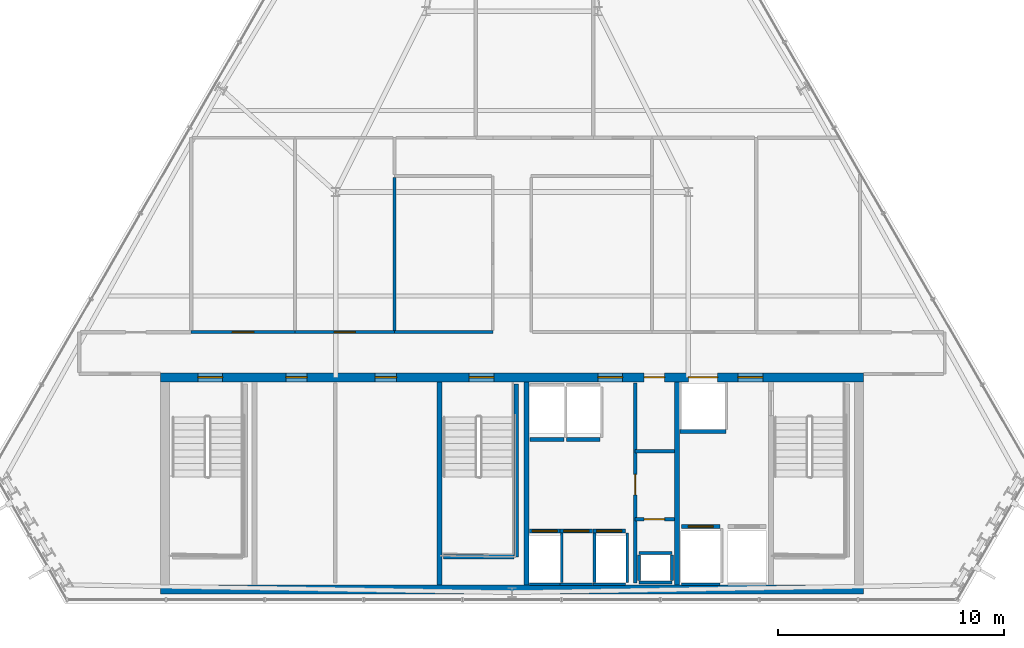
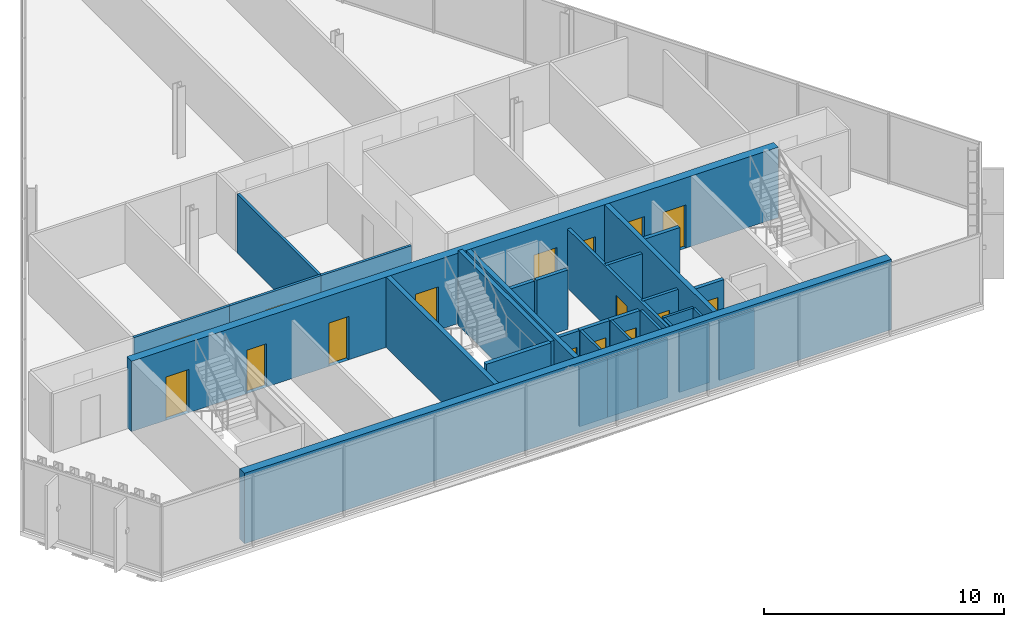
# One storey, part 24 of 29: 32 walls, 16 doors, 16 openings.
"""IFC4 building model written with IfcOpenShell, lengths in metres."""

from ifc_helpers import new_model, si_unit, direction, frame, frame_2d, origin, place, context, subcontext, project, spatial, rectangle, extrude, material, layer, layer_set, type_object, element, fill, save


model = new_model("IFC4")

# Units and contexts
model_context = context("Model", 3, precision=1e-05, world=origin(), true_north=direction((0.0, 1.0)))
body_context = subcontext(model_context, "Body", "Model", "MODEL_VIEW")
ifc_project = project(units=[si_unit("LENGTHUNIT", "METRE"), si_unit("AREAUNIT", "SQUARE_METRE"), si_unit("VOLUMEUNIT", "CUBIC_METRE"), si_unit("PLANEANGLEUNIT", "RADIAN"), si_unit("MASSUNIT", "GRAM", prefix="KILO")], contexts=[model_context])

# Site, building, storey
site_placement = place(None, origin())
site = spatial("IfcSite", under=ifc_project, at=site_placement, CompositionType="ELEMENT")
building_placement = place(site_placement, origin())
building = spatial("IfcBuilding", under=site, at=building_placement, Name="Ndaravel Arena Tower", CompositionType="ELEMENT")
storey_placement = place(building_placement, frame((0.0, 0.0, 244.60009765625)))
storey = spatial("IfcBuildingStorey", under=building, at=storey_placement, Name="L59", CompositionType="ELEMENT", Elevation=244.60009765625)

# Wall, opening, door
ifc_material_1 = material(Name="Gypsum", Category="gypsum")
ifc_layer_1 = layer(ifc_material_1, 0.14990234375)
ifc_layer_set_1 = layer_set([ifc_layer_1], Name="Gypsum")
wall_type_1 = type_object("IfcWallType", Name="WALL-COMP-150", PredefinedType="PARTITIONING", material=ifc_layer_set_1)
wall_1_placement = place(storey_placement, frame((47.449951171875, 5.89990234375, 0.0), z_axis=(0.0, 0.0, 1.0), x_axis=(0.0, 1.0, 0.0)))
wall_1 = element("IfcWall", 1, at=wall_1_placement, inside=storey, type_object=wall_type_1, Name="L59 Core Riser Bay Partition", PredefinedType="PARTITIONING", context=body_context, shape_type="SweptSolid", body=[
    extrude(rectangle(XDim=8.85009765625, YDim=0.14990234375, at=frame_2d((4.425048828125, 0.0))), origin(), (0.0, 0.0, 1.0), 3.010498046875),
])
opening_1_placement = place(wall_1_placement, frame((3.89990234375, 0.0, 0.0)))
opening_1 = element("IfcOpeningElement", 2, at=opening_1_placement, cuts=wall_1, Name="Opening RD-01", PredefinedType="OPENING", context=body_context, shape_type="SweptSolid", body=[
    extrude(rectangle(XDim=0.89990234375, YDim=2.10009765625, at=frame_2d((0.449951171875, 1.050048828125))), frame((0.0, 0.074951171875, 0.0), z_axis=(0.0, -1.0, 0.0), x_axis=(1.0, 0.0, 0.0)), (0.0, 0.0, 1.0), 0.14990234375),
])
ifc_material_2 = material(Name="Steel S355", Category="steel")
door_type_1 = type_object("IfcDoorType", Name="DT-08-RISER-900", OperationType="SINGLE_SWING_LEFT", PredefinedType="DOOR", material=ifc_material_2)
door_1_placement = place(opening_1_placement, origin())
door_1 = element("IfcDoor", 3, at=door_1_placement, inside=storey, type_object=door_type_1, Name="L59 Plumbing Riser Door", OperationType="SINGLE_SWING_LEFT", OverallHeight=2.10009765625, OverallWidth=0.89990234375, PredefinedType="DOOR", context=body_context, shape_type="SweptSolid", body=[
    extrude(rectangle(XDim=0.89990234375, YDim=2.10009765625, at=frame_2d((0.449951171875, 1.050048828125))), frame((0.0, 0.02490234375, 0.0), z_axis=(0.0, -1.0, 0.0), x_axis=(1.0, 0.0, 0.0)), (0.0, 0.0, 1.0), 0.050048828125),
])
fill(opening_1, door_1)

wall_2_placement = place(storey_placement, frame((47.449951171875, 8.719970703125, 0.0), z_axis=(0.0, 0.0, 1.0), x_axis=(1.0, 0.0, 0.0)))
wall_2 = element("IfcWall", 4, at=wall_2_placement, inside=storey, type_object=wall_type_1, Name="L59 Core Riser Divider 1", PredefinedType="PARTITIONING", context=body_context, shape_type="SweptSolid", body=[
    extrude(rectangle(XDim=1.72998046875, YDim=0.14990234375, at=frame_2d((0.864990234375, 0.0))), origin(), (0.0, 0.0, 1.0), 3.010498046875),
])
opening_2_placement = place(wall_2_placement, frame((0.39990234375, 0.0, 0.0)))
opening_2 = element("IfcOpeningElement", 5, at=opening_2_placement, cuts=wall_2, Name="Opening RD-01", PredefinedType="OPENING", context=body_context, shape_type="SweptSolid", body=[
    extrude(rectangle(XDim=0.89990234375, YDim=2.10009765625, at=frame_2d((0.449951171875, 1.050048828125))), frame((0.0, 0.074951171875, 0.0), z_axis=(0.0, -1.0, 0.0), x_axis=(1.0, 0.0, 0.0)), (0.0, 0.0, 1.0), 0.14990234375),
])
door_2_placement = place(opening_2_placement, origin())
door_2 = element("IfcDoor", 6, at=door_2_placement, inside=storey, type_object=door_type_1, Name="L59 Low-Voltage Riser Door", OperationType="SINGLE_SWING_RIGHT", OverallHeight=2.10009765625, OverallWidth=0.89990234375, PredefinedType="DOOR", context=body_context, shape_type="SweptSolid", body=[
    extrude(rectangle(XDim=0.89990234375, YDim=2.10009765625, at=frame_2d((0.449951171875, 1.050048828125))), frame((0.0, 0.02490234375, 0.0), z_axis=(0.0, -1.0, 0.0), x_axis=(1.0, 0.0, 0.0)), (0.0, 0.0, 1.0), 0.050048828125),
])
fill(opening_2, door_2)

# Walls
wall_3_placement = place(storey_placement, frame((47.449951171875, 11.719970703125, 0.0), z_axis=(0.0, 0.0, 1.0), x_axis=(1.0, 0.0, 0.0)))
element("IfcWall", 7, at=wall_3_placement, inside=storey, type_object=wall_type_1, Name="L59 Core Riser Divider 2", PredefinedType="PARTITIONING", context=body_context, shape_type="SweptSolid", body=[
    extrude(rectangle(XDim=1.72998046875, YDim=0.14990234375, at=frame_2d((0.864990234375, 0.0))), origin(), (0.0, 0.0, 1.0), 3.010498046875),
])
ifc_material_3 = material(Name="Concrete C50/60", Category="concrete")
ifc_layer_2 = layer(ifc_material_3, 0.219970703125)
ifc_layer_set_2 = layer_set([ifc_layer_2], Name="Concrete C50/60")
wall_type_2 = type_object("IfcWallType", Name="WALL-CORE-220", PredefinedType="SOLIDWALL", material=ifc_layer_set_2)
for number, where, z_axis, x_axis, name in (
    (8, (38.800048828125, 5.800048828125, 0.0), (0.0, 0.0, 1.0), (0.0, 1.0, 0.0), "L59 Core Web Shear Wall 2"),
    (9, (42.64990234375, 5.800048828125, 0.0), (0.0, 0.0, 1.0), (0.0, 1.0, 0.0), "L59 Core Web Shear Wall 3"),
    (10, (49.300048828125, 5.800048828125, 0.0), (0.0, 0.0, 1.0), (0.0, 1.0, 0.0), "L59 Core Web Shear Wall 4"),
):
    element("IfcWall", number, at=place(storey_placement, frame(where, z_axis=z_axis, x_axis=x_axis)), inside=storey, type_object=wall_type_2, Name=name, PredefinedType="SOLIDWALL", context=body_context, shape_type="SweptSolid", body=[
        extrude(rectangle(XDim=9.0, YDim=0.219970703125, at=frame_2d((4.5, 0.0))), origin(), (0.0, 0.0, 1.0), 3.579833984375),
    ])

# Wall, openings, doors
ifc_material_4 = material(Name="Concrete C50/60", Category="concrete")
ifc_layer_3 = layer(ifc_material_4, 0.39990234375)
ifc_layer_set_3 = layer_set([ifc_layer_3], Name="Concrete C50/60")
wall_type_3 = type_object("IfcWallType", Name="WALL-CORE-400", PredefinedType="SOLIDWALL", material=ifc_layer_set_3)
wall_4_placement = place(storey_placement, frame((26.449951171875, 15.0, 0.0), z_axis=(0.0, 0.0, 1.0), x_axis=(1.0, 0.0, 0.0)))
wall_4 = element("IfcWall", 11, at=wall_4_placement, inside=storey, type_object=wall_type_3, Name="L59 Core North Shear Wall", PredefinedType="SOLIDWALL", context=body_context, shape_type="SweptSolid", body=[
    extrude(rectangle(XDim=31.10009765625, YDim=0.39990234375, at=frame_2d((15.550048828125, 0.0))), origin(), (0.0, 0.0, 1.0), 3.579833984375),
])
opening_3_placement = place(wall_4_placement, frame((1.64990234375, 0.0, 0.0)))
opening_3 = element("IfcOpeningElement", 12, at=opening_3_placement, cuts=wall_4, Name="Opening FD-01", PredefinedType="OPENING", context=body_context, shape_type="SweptSolid", body=[
    extrude(rectangle(XDim=1.10009765625, YDim=2.199951171875, at=frame_2d((0.550048828125, 1.10009765625))), frame((0.0, 0.199951171875, 0.0), z_axis=(0.0, -1.0, 0.0), x_axis=(1.0, 0.0, 0.0)), (0.0, 0.0, 1.0), 0.39990234375),
])
opening_4_placement = place(wall_4_placement, frame((13.64990234375, 0.0, 0.0)))
opening_4 = element("IfcOpeningElement", 13, at=opening_4_placement, cuts=wall_4, Name="Opening FD-01", PredefinedType="OPENING", context=body_context, shape_type="SweptSolid", body=[
    extrude(rectangle(XDim=1.10009765625, YDim=2.199951171875, at=frame_2d((0.550048828125, 1.10009765625))), frame((0.0, 0.199951171875, 0.0), z_axis=(0.0, -1.0, 0.0), x_axis=(1.0, 0.0, 0.0)), (0.0, 0.0, 1.0), 0.39990234375),
])
opening_5_placement = place(wall_4_placement, frame((25.550048828125, 0.0, 0.0)))
opening_5 = element("IfcOpeningElement", 14, at=opening_5_placement, cuts=wall_4, Name="Opening FD-01", PredefinedType="OPENING", context=body_context, shape_type="SweptSolid", body=[
    extrude(rectangle(XDim=1.10009765625, YDim=2.199951171875, at=frame_2d((0.550048828125, 1.10009765625))), frame((0.0, 0.199951171875, 0.0), z_axis=(0.0, -1.0, 0.0), x_axis=(1.0, 0.0, 0.0)), (0.0, 0.0, 1.0), 0.39990234375),
])
opening_6_placement = place(wall_4_placement, frame((19.35009765625, 0.0, 0.0)))
opening_6 = element("IfcOpeningElement", 15, at=opening_6_placement, cuts=wall_4, Name="Opening FD-01", PredefinedType="OPENING", context=body_context, shape_type="SweptSolid", body=[
    extrude(rectangle(XDim=1.10009765625, YDim=2.199951171875, at=frame_2d((0.550048828125, 1.10009765625))), frame((0.0, 0.199951171875, 0.0), z_axis=(0.0, -1.0, 0.0), x_axis=(1.0, 0.0, 0.0)), (0.0, 0.0, 1.0), 0.39990234375),
])
opening_7_placement = place(wall_4_placement, frame((21.39990234375, 0.0, 0.0)))
opening_7 = element("IfcOpeningElement", 16, at=opening_7_placement, cuts=wall_4, Name="Opening RD-01", PredefinedType="OPENING", context=body_context, shape_type="SweptSolid", body=[
    extrude(rectangle(XDim=0.89990234375, YDim=2.10009765625, at=frame_2d((0.449951171875, 1.050048828125))), frame((0.0, 0.199951171875, 0.0), z_axis=(0.0, -1.0, 0.0), x_axis=(1.0, 0.0, 0.0)), (0.0, 0.0, 1.0), 0.39990234375),
])
opening_8_placement = place(wall_4_placement, frame((5.5400390625, 0.0, 0.0)))
opening_8 = element("IfcOpeningElement", 17, at=opening_8_placement, cuts=wall_4, Name="Opening FD-03", PredefinedType="OPENING", context=body_context, shape_type="SweptSolid", body=[
    extrude(rectangle(XDim=0.949951171875, YDim=2.199951171875, at=frame_2d((0.47509765625, 1.10009765625))), frame((0.0, 0.199951171875, 0.0), z_axis=(0.0, -1.0, 0.0), x_axis=(1.0, 0.0, 0.0)), (0.0, 0.0, 1.0), 0.39990234375),
])
opening_9_placement = place(wall_4_placement, frame((9.489990234375, 0.0, 0.0)))
opening_9 = element("IfcOpeningElement", 18, at=opening_9_placement, cuts=wall_4, Name="Opening FD-03", PredefinedType="OPENING", context=body_context, shape_type="SweptSolid", body=[
    extrude(rectangle(XDim=0.949951171875, YDim=2.199951171875, at=frame_2d((0.47509765625, 1.10009765625))), frame((0.0, 0.199951171875, 0.0), z_axis=(0.0, -1.0, 0.0), x_axis=(1.0, 0.0, 0.0)), (0.0, 0.0, 1.0), 0.39990234375),
])
opening_10_placement = place(wall_4_placement, frame((23.35009765625, 0.0, 0.0)))
opening_10 = element("IfcOpeningElement", 19, at=opening_10_placement, cuts=wall_4, Name="Opening LD-02", PredefinedType="OPENING", context=body_context, shape_type="SweptSolid", body=[
    extrude(rectangle(XDim=1.300048828125, YDim=2.300048828125, at=frame_2d((0.64990234375, 1.14990234375))), frame((0.0, 0.199951171875, 0.0), z_axis=(0.0, -1.0, 0.0), x_axis=(1.0, 0.0, 0.0)), (0.0, 0.0, 1.0), 0.39990234375),
])
ifc_material_5 = material(Name="Steel S355", Category="steel")
door_type_2 = type_object("IfcDoorType", Name="DT-01-STAIR-1100", OperationType="SINGLE_SWING_LEFT", PredefinedType="DOOR", material=ifc_material_5)
door_3_placement = place(opening_3_placement, origin())
door_3 = element("IfcDoor", 20, at=door_3_placement, inside=storey, type_object=door_type_2, Name="L59 Exit Stair ST-1 Door", OperationType="SINGLE_SWING_RIGHT", OverallHeight=2.199951171875, OverallWidth=1.10009765625, PredefinedType="DOOR", context=body_context, shape_type="SweptSolid", body=[
    extrude(rectangle(XDim=1.10009765625, YDim=2.199951171875, at=frame_2d((0.550048828125, 1.10009765625))), frame((0.0, 0.02490234375, 0.0), z_axis=(0.0, -1.0, 0.0), x_axis=(1.0, 0.0, 0.0)), (0.0, 0.0, 1.0), 0.050048828125),
])
fill(opening_3, door_3)
door_4_placement = place(opening_4_placement, origin())
door_4 = element("IfcDoor", 21, at=door_4_placement, inside=storey, type_object=door_type_2, Name="L59 Exit Stair ST-2 Door", OperationType="SINGLE_SWING_LEFT", OverallHeight=2.199951171875, OverallWidth=1.10009765625, PredefinedType="DOOR", context=body_context, shape_type="SweptSolid", body=[
    extrude(rectangle(XDim=1.10009765625, YDim=2.199951171875, at=frame_2d((0.550048828125, 1.10009765625))), frame((0.0, 0.02490234375, 0.0), z_axis=(0.0, -1.0, 0.0), x_axis=(1.0, 0.0, 0.0)), (0.0, 0.0, 1.0), 0.050048828125),
])
fill(opening_4, door_4)
door_5_placement = place(opening_5_placement, origin())
door_5 = element("IfcDoor", 22, at=door_5_placement, inside=storey, type_object=door_type_2, Name="L59 Firefighting Lift Lobby Door", OperationType="SINGLE_SWING_RIGHT", OverallHeight=2.199951171875, OverallWidth=1.10009765625, PredefinedType="DOOR", context=body_context, shape_type="SweptSolid", body=[
    extrude(rectangle(XDim=1.10009765625, YDim=2.199951171875, at=frame_2d((0.550048828125, 1.10009765625))), frame((0.0, 0.02490234375, 0.0), z_axis=(0.0, -1.0, 0.0), x_axis=(1.0, 0.0, 0.0)), (0.0, 0.0, 1.0), 0.050048828125),
])
fill(opening_5, door_5)
door_6_placement = place(opening_6_placement, origin())
door_6 = element("IfcDoor", 23, at=door_6_placement, inside=storey, type_object=door_type_2, Name="L59 Express Lift Lobby Entry Door", OperationType="SINGLE_SWING_LEFT", OverallHeight=2.199951171875, OverallWidth=1.10009765625, PredefinedType="DOOR", context=body_context, shape_type="SweptSolid", body=[
    extrude(rectangle(XDim=1.10009765625, YDim=2.199951171875, at=frame_2d((0.550048828125, 1.10009765625))), frame((0.0, 0.02490234375, 0.0), z_axis=(0.0, -1.0, 0.0), x_axis=(1.0, 0.0, 0.0)), (0.0, 0.0, 1.0), 0.050048828125),
])
fill(opening_6, door_6)
ifc_material_6 = material(Name="Steel S355", Category="steel")
door_type_3 = type_object("IfcDoorType", Name="DT-07-SVLIFT-1300", OperationType="DOUBLE_DOOR_SLIDING", PredefinedType="DOOR", material=ifc_material_6)
door_7_placement = place(opening_10_placement, origin())
door_7 = element("IfcDoor", 24, at=door_7_placement, inside=storey, type_object=door_type_3, Name="L59 Lift SVL-1 Sliding Landing Door", OperationType="DOUBLE_DOOR_SLIDING", OverallHeight=2.300048828125, OverallWidth=1.300048828125, PredefinedType="DOOR", context=body_context, shape_type="SweptSolid", body=[
    extrude(rectangle(XDim=1.300048828125, YDim=2.300048828125, at=frame_2d((0.64990234375, 1.14990234375))), frame((0.0, 0.02490234375, 0.0), z_axis=(0.0, -1.0, 0.0), x_axis=(1.0, 0.0, 0.0)), (0.0, 0.0, 1.0), 0.050048828125),
])
fill(opening_10, door_7)
door_8_placement = place(opening_7_placement, origin())
door_8 = element("IfcDoor", 25, at=door_8_placement, inside=storey, type_object=door_type_1, Name="L59 Core Service Riser North Door", OperationType="SINGLE_SWING_LEFT", OverallHeight=2.10009765625, OverallWidth=0.89990234375, PredefinedType="DOOR", context=body_context, shape_type="SweptSolid", body=[
    extrude(rectangle(XDim=0.89990234375, YDim=2.10009765625, at=frame_2d((0.449951171875, 1.050048828125))), frame((0.0, 0.02490234375, 0.0), z_axis=(0.0, -1.0, 0.0), x_axis=(1.0, 0.0, 0.0)), (0.0, 0.0, 1.0), 0.050048828125),
])
fill(opening_7, door_8)
ifc_material_7 = material(Name="Steel S355", Category="steel")
door_type_4 = type_object("IfcDoorType", Name="DT-11-CORE-950", OperationType="SINGLE_SWING_LEFT", PredefinedType="DOOR", material=ifc_material_7)
door_9_placement = place(opening_8_placement, origin())
door_9 = element("IfcDoor", 26, at=door_9_placement, inside=storey, type_object=door_type_4, Name="L59 High-Zone Reclaimed Core Room 1 Door", OperationType="SINGLE_SWING_LEFT", OverallHeight=2.199951171875, OverallWidth=0.949951171875, PredefinedType="DOOR", context=body_context, shape_type="SweptSolid", body=[
    extrude(rectangle(XDim=0.949951171875, YDim=2.199951171875, at=frame_2d((0.47509765625, 1.10009765625))), frame((0.0, 0.02490234375, 0.0), z_axis=(0.0, -1.0, 0.0), x_axis=(1.0, 0.0, 0.0)), (0.0, 0.0, 1.0), 0.050048828125),
])
fill(opening_8, door_9)
door_10_placement = place(opening_9_placement, origin())
door_10 = element("IfcDoor", 27, at=door_10_placement, inside=storey, type_object=door_type_4, Name="L59 High-Zone Reclaimed Core Room 2 Door", OperationType="SINGLE_SWING_RIGHT", OverallHeight=2.199951171875, OverallWidth=0.949951171875, PredefinedType="DOOR", context=body_context, shape_type="SweptSolid", body=[
    extrude(rectangle(XDim=0.949951171875, YDim=2.199951171875, at=frame_2d((0.47509765625, 1.10009765625))), frame((0.0, 0.02490234375, 0.0), z_axis=(0.0, -1.0, 0.0), x_axis=(1.0, 0.0, 0.0)), (0.0, 0.0, 1.0), 0.050048828125),
])
fill(opening_9, door_10)

# Wall
wall_5_placement = place(storey_placement, frame((26.449951171875, 5.60009765625, 0.0), z_axis=(0.0, 0.0, 1.0), x_axis=(1.0, 0.0, 0.0)))
element("IfcWall", 28, at=wall_5_placement, inside=storey, type_object=wall_type_3, Name="L59 Core South Shear Wall", PredefinedType="SOLIDWALL", context=body_context, shape_type="SweptSolid", body=[
    extrude(rectangle(XDim=31.10009765625, YDim=0.39990234375, at=frame_2d((15.550048828125, 0.0))), origin(), (0.0, 0.0, 1.0), 3.579833984375),
])

# Wall, opening, door
ifc_material_8 = material(Name="Gypsum", Category="gypsum")
ifc_layer_4 = layer(ifc_material_8, 0.125)
ifc_layer_set_4 = layer_set([ifc_layer_4], Name="Gypsum")
wall_type_4 = type_object("IfcWallType", Name="WALL-PART-125", PredefinedType="PARTITIONING", material=ifc_layer_set_4)
wall_6_placement = place(storey_placement, frame((27.800048828125, 17.0, 0.0), z_axis=(0.0, 0.0, 1.0), x_axis=(1.0, 0.0, 0.0)))
wall_6 = element("IfcWall", 29, at=wall_6_placement, inside=storey, type_object=wall_type_4, Name="L59 Interior Partition 006", PredefinedType="PARTITIONING", context=body_context, shape_type="SweptSolid", body=[
    extrude(rectangle(XDim=4.599853515625, YDim=0.125, at=frame_2d((2.2998046875, 0.0))), origin(), (0.0, 0.0, 1.0), 3.010498046875),
])
opening_11_placement = place(wall_6_placement, frame((1.824951171875, 0.0, 0.0)))
opening_11 = element("IfcOpeningElement", 30, at=opening_11_placement, cuts=wall_6, Name="Opening ID-01", PredefinedType="OPENING", context=body_context, shape_type="SweptSolid", body=[
    extrude(rectangle(XDim=0.949951171875, YDim=2.199951171875, at=frame_2d((0.47509765625, 1.10009765625))), frame((0.0, 0.0625, 0.0), z_axis=(0.0, -1.0, 0.0), x_axis=(1.0, 0.0, 0.0)), (0.0, 0.0, 1.0), 0.125),
])
ifc_material_9 = material(Name="Timber", Category="wood")
door_type_5 = type_object("IfcDoorType", Name="DT-03-OFFICE-950", OperationType="SINGLE_SWING_LEFT", PredefinedType="DOOR", material=ifc_material_9)
door_11_placement = place(opening_11_placement, origin())
door_11 = element("IfcDoor", 31, at=door_11_placement, inside=storey, type_object=door_type_5, Name="L59 Barista Galley 3 Door", OperationType="SINGLE_SWING_LEFT", OverallHeight=2.199951171875, OverallWidth=0.949951171875, PredefinedType="DOOR", context=body_context, shape_type="SweptSolid", body=[
    extrude(rectangle(XDim=0.949951171875, YDim=2.199951171875, at=frame_2d((0.47509765625, 1.10009765625))), frame((0.0, 0.02490234375, 0.0), z_axis=(0.0, -1.0, 0.0), x_axis=(1.0, 0.0, 0.0)), (0.0, 0.0, 1.0), 0.050048828125),
])
fill(opening_11, door_11)

wall_7_placement = place(storey_placement, frame((32.39990234375, 17.0, 0.0), z_axis=(0.0, 0.0, 1.0), x_axis=(1.0, 0.0, 0.0)))
wall_7 = element("IfcWall", 32, at=wall_7_placement, inside=storey, type_object=wall_type_4, Name="L59 Interior Partition 007", PredefinedType="PARTITIONING", context=body_context, shape_type="SweptSolid", body=[
    extrude(rectangle(XDim=4.400146484375, YDim=0.125, at=frame_2d((2.2001953125, 0.0))), origin(), (0.0, 0.0, 1.0), 3.010498046875),
])
opening_12_placement = place(wall_7_placement, frame((1.72509765625, 0.0, 0.0)))
opening_12 = element("IfcOpeningElement", 33, at=opening_12_placement, cuts=wall_7, Name="Opening ID-01", PredefinedType="OPENING", context=body_context, shape_type="SweptSolid", body=[
    extrude(rectangle(XDim=0.949951171875, YDim=2.199951171875, at=frame_2d((0.47509765625, 1.10009765625))), frame((0.0, 0.0625, 0.0), z_axis=(0.0, -1.0, 0.0), x_axis=(1.0, 0.0, 0.0)), (0.0, 0.0, 1.0), 0.125),
])
door_12_placement = place(opening_12_placement, origin())
door_12 = element("IfcDoor", 34, at=door_12_placement, inside=storey, type_object=door_type_5, Name="L59 Wellness Fitness Gym 2 Door", OperationType="SINGLE_SWING_RIGHT", OverallHeight=2.199951171875, OverallWidth=0.949951171875, PredefinedType="DOOR", context=body_context, shape_type="SweptSolid", body=[
    extrude(rectangle(XDim=0.949951171875, YDim=2.199951171875, at=frame_2d((0.47509765625, 1.10009765625))), frame((0.0, 0.02490234375, 0.0), z_axis=(0.0, -1.0, 0.0), x_axis=(1.0, 0.0, 0.0)), (0.0, 0.0, 1.0), 0.050048828125),
])
fill(opening_12, door_12)

# Walls
wall_8_placement = place(storey_placement, frame((36.800048828125, 17.0, 0.0), z_axis=(0.0, 0.0, 1.0), x_axis=(1.0, 0.0, 0.0)))
element("IfcWall", 35, at=wall_8_placement, inside=storey, type_object=wall_type_4, Name="L59 Interior Partition 008", PredefinedType="PARTITIONING", context=body_context, shape_type="SweptSolid", body=[
    extrude(rectangle(XDim=4.349853515625, YDim=0.125, at=frame_2d((2.1748046875, 0.0))), origin(), (0.0, 0.0, 1.0), 3.010498046875),
])
wall_9_placement = place(storey_placement, frame((36.800048828125, 17.06494140625, 0.0), z_axis=(0.0, 0.0, 1.0), x_axis=(0.0, 1.0, 0.0)))
element("IfcWall", 36, at=wall_9_placement, inside=storey, type_object=wall_type_4, Name="L59 Interior Partition 026", PredefinedType="PARTITIONING", context=body_context, shape_type="SweptSolid", body=[
    extrude(rectangle(XDim=6.77001953125, YDim=0.125, at=frame_2d((3.385009765625, 0.0))), origin(), (0.0, 0.0, 1.0), 3.010498046875),
])
ifc_material_10 = material(Name="Concrete C40/50", Category="concrete")
ifc_layer_5 = layer(ifc_material_10, 0.1201171875)
ifc_layer_set_5 = layer_set([ifc_layer_5], Name="Concrete C40/50")
wall_type_5 = type_object("IfcWallType", Name="WALL-SHAFT-120", PredefinedType="SOLIDWALL", material=ifc_layer_set_5)
for number, where, z_axis, x_axis, name in (
    (37, (47.6201171875, 5.919921875, 0.0), (0.0, 0.0, 1.0), (1.0, 0.0, 0.0), "L59 MEP Riser Shaft S Wall"),
    (38, (47.6201171875, 7.219970703125, 0.0), (0.0, 0.0, 1.0), (1.0, 0.0, 0.0), "L59 MEP Riser Shaft N Wall"),
):
    element("IfcWall", number, at=place(storey_placement, frame(where, z_axis=z_axis, x_axis=x_axis)), inside=storey, type_object=wall_type_5, Name=name, PredefinedType="SOLIDWALL", context=body_context, shape_type="SweptSolid", body=[
        extrude(rectangle(XDim=1.4599609375, YDim=0.1201171875, at=frame_2d((0.72998046875, 0.0))), origin(), (0.0, 0.0, 1.0), 3.010498046875),
    ])
for number, where, z_axis, x_axis, name in (
    (39, (47.6201171875, 6.0, 0.0), (0.0, 0.0, 1.0), (0.0, 1.0, 0.0), "L59 MEP Riser Shaft W Wall"),
    (40, (49.080078125, 6.0, 0.0), (0.0, 0.0, 1.0), (0.0, 1.0, 0.0), "L59 MEP Riser Shaft E Wall"),
):
    element("IfcWall", number, at=place(storey_placement, frame(where, z_axis=z_axis, x_axis=x_axis)), inside=storey, type_object=wall_type_5, Name=name, PredefinedType="SOLIDWALL", context=body_context, shape_type="SweptSolid", body=[
        extrude(rectangle(XDim=1.139892578125, YDim=0.1201171875, at=frame_2d((0.56982421875, 0.0))), origin(), (0.0, 0.0, 1.0), 3.010498046875),
    ])
wall_10_placement = place(storey_placement, frame((42.780029296875, 5.840087890625, 0.0), z_axis=(0.0, 0.0, 1.0), x_axis=(1.0, 0.0, 0.0)))
element("IfcWall", 41, at=wall_10_placement, inside=storey, type_object=wall_type_5, Name="L59 PL-H1 Shaft Rear Wall", PredefinedType="SOLIDWALL", context=body_context, shape_type="SweptSolid", body=[
    extrude(rectangle(XDim=1.340087890625, YDim=0.1201171875, at=frame_2d((0.669921875, 0.0))), origin(), (0.0, 0.0, 1.0), 3.010498046875),
])
wall_11_placement = place(storey_placement, frame((44.199951171875, 5.929931640625, 0.0), z_axis=(0.0, 0.0, 1.0), x_axis=(0.0, 1.0, 0.0)))
element("IfcWall", 42, at=wall_11_placement, inside=storey, type_object=wall_type_5, Name="L59 PL-H1 Shaft Side R Wall", PredefinedType="SOLIDWALL", context=body_context, shape_type="SweptSolid", body=[
    extrude(rectangle(XDim=2.18017578125, YDim=0.1201171875, at=frame_2d((1.090087890625, 0.0))), origin(), (0.0, 0.0, 1.0), 3.010498046875),
])
wall_12_placement = place(storey_placement, frame((44.1298828125, 5.840087890625, 0.0), z_axis=(0.0, 0.0, 1.0), x_axis=(1.0, 0.0, 0.0)))
element("IfcWall", 43, at=wall_12_placement, inside=storey, type_object=wall_type_5, Name="L59 PL-H2 Shaft Rear Wall", PredefinedType="SOLIDWALL", context=body_context, shape_type="SweptSolid", body=[
    extrude(rectangle(XDim=1.440185546875, YDim=0.1201171875, at=frame_2d((0.72021484375, 0.0))), origin(), (0.0, 0.0, 1.0), 3.010498046875),
])
wall_13_placement = place(storey_placement, frame((45.64990234375, 5.929931640625, 0.0), z_axis=(0.0, 0.0, 1.0), x_axis=(0.0, 1.0, 0.0)))
element("IfcWall", 44, at=wall_13_placement, inside=storey, type_object=wall_type_5, Name="L59 PL-H2 Shaft Side R Wall", PredefinedType="SOLIDWALL", context=body_context, shape_type="SweptSolid", body=[
    extrude(rectangle(XDim=2.18017578125, YDim=0.1201171875, at=frame_2d((1.090087890625, 0.0))), origin(), (0.0, 0.0, 1.0), 3.010498046875),
])
wall_14_placement = place(storey_placement, frame((45.580078125, 5.840087890625, 0.0), z_axis=(0.0, 0.0, 1.0), x_axis=(1.0, 0.0, 0.0)))
element("IfcWall", 45, at=wall_14_placement, inside=storey, type_object=wall_type_5, Name="L59 PL-H3 Shaft Rear Wall", PredefinedType="SOLIDWALL", context=body_context, shape_type="SweptSolid", body=[
    extrude(rectangle(XDim=1.43994140625, YDim=0.1201171875, at=frame_2d((0.719970703125, 0.0))), origin(), (0.0, 0.0, 1.0), 3.010498046875),
])
wall_15_placement = place(storey_placement, frame((47.10009765625, 5.929931640625, 0.0), z_axis=(0.0, 0.0, 1.0), x_axis=(0.0, 1.0, 0.0)))
element("IfcWall", 46, at=wall_15_placement, inside=storey, type_object=wall_type_5, Name="L59 PL-H3 Shaft Side R Wall", PredefinedType="SOLIDWALL", context=body_context, shape_type="SweptSolid", body=[
    extrude(rectangle(XDim=2.18017578125, YDim=0.1201171875, at=frame_2d((1.090087890625, 0.0))), origin(), (0.0, 0.0, 1.0), 3.010498046875),
])
wall_16_placement = place(storey_placement, frame((49.5048828125, 5.840087890625, 0.0), z_axis=(0.0, 0.0, 1.0), x_axis=(1.0, 0.0, 0.0)))
element("IfcWall", 47, at=wall_16_placement, inside=storey, type_object=wall_type_5, Name="L59 FFL-1 Shaft Rear Wall", PredefinedType="SOLIDWALL", context=body_context, shape_type="SweptSolid", body=[
    extrude(rectangle(XDim=1.690185546875, YDim=0.1201171875, at=frame_2d((0.84521484375, 0.0))), origin(), (0.0, 0.0, 1.0), 3.010498046875),
])
ifc_material_11 = material(Name="Concrete C40/50", Category="concrete")
ifc_layer_6 = layer(ifc_material_11, 0.199951171875)
ifc_layer_set_6 = layer_set([ifc_layer_6], Name="Concrete C40/50")
wall_type_6 = type_object("IfcWallType", Name="WALL-SHAFT-200", PredefinedType="SOLIDWALL", material=ifc_layer_set_6)
wall_17_placement = place(storey_placement, frame((42.18994140625, 14.699951171875, 0.0), z_axis=(0.0, 0.0, 1.0), x_axis=(0.0, -1.0, 0.0)))
element("IfcWall", 48, at=wall_17_placement, inside=storey, type_object=wall_type_6, Name="L59 ST-2 Structural Shaft Wall Right", PredefinedType="SOLIDWALL", context=body_context, shape_type="SweptSolid", body=[
    extrude(rectangle(XDim=7.64990234375, YDim=0.199951171875, at=frame_2d((3.824951171875, 0.0))), origin(), (0.0, 0.0, 1.0), 3.7998046875),
])
wall_18_placement = place(storey_placement, frame((38.969970703125, 7.050048828125, 0.0), z_axis=(0.0, 0.0, 1.0), x_axis=(1.0, 0.0, 0.0)))
element("IfcWall", 49, at=wall_18_placement, inside=storey, type_object=wall_type_6, Name="L59 ST-2 Structural Shaft Wall Far", PredefinedType="SOLIDWALL", context=body_context, shape_type="SweptSolid", body=[
    extrude(rectangle(XDim=3.114990234375, YDim=0.199951171875, at=frame_2d((1.5576171875, 0.0))), origin(), (0.0, 0.0, 1.0), 3.7998046875),
])

# Wall, opening, door
wall_19_placement = place(storey_placement, frame((42.780029296875, 8.199951171875, 0.0), z_axis=(0.0, 0.0, 1.0), x_axis=(1.0, 0.0, 0.0)))
wall_19 = element("IfcWall", 50, at=wall_19_placement, inside=storey, type_object=wall_type_6, Name="L59 PL-H1 Shaft Landing Wall", PredefinedType="SOLIDWALL", context=body_context, shape_type="SweptSolid", body=[
    extrude(rectangle(XDim=1.340087890625, YDim=0.179931640625, at=frame_2d((0.669921875, 0.0))), origin(), (0.0, 0.0, 1.0), 3.010498046875),
])
opening_13_placement = place(wall_19_placement, frame((0.1201171875, 0.0, 0.0)))
opening_13 = element("IfcOpeningElement", 51, at=opening_13_placement, cuts=wall_19, Name="Opening LD-01", PredefinedType="OPENING", context=body_context, shape_type="SweptSolid", body=[
    extrude(rectangle(XDim=1.10009765625, YDim=2.199951171875, at=frame_2d((0.550048828125, 1.10009765625))), frame((0.0, 0.08984375, 0.0), z_axis=(0.0, -1.0, 0.0), x_axis=(1.0, 0.0, 0.0)), (0.0, 0.0, 1.0), 0.179931640625),
])
ifc_material_12 = material(Name="Steel S355", Category="steel")
door_type_6 = type_object("IfcDoorType", Name="DT-06-LIFT-1100", OperationType="SLIDING_TO_LEFT", PredefinedType="DOOR", material=ifc_material_12)
door_13_placement = place(opening_13_placement, origin())
door_13 = element("IfcDoor", 52, at=door_13_placement, inside=storey, type_object=door_type_6, Name="L59 Lift PL-H1 Sliding Landing Door", OperationType="SLIDING_TO_LEFT", OverallHeight=2.199951171875, OverallWidth=1.10009765625, PredefinedType="DOOR", context=body_context, shape_type="SweptSolid", body=[
    extrude(rectangle(XDim=1.10009765625, YDim=2.199951171875, at=frame_2d((0.550048828125, 1.10009765625))), frame((0.0, 0.02490234375, 0.0), z_axis=(0.0, -1.0, 0.0), x_axis=(1.0, 0.0, 0.0)), (0.0, 0.0, 1.0), 0.050048828125),
])
fill(opening_13, door_13)

wall_20_placement = place(storey_placement, frame((44.1298828125, 8.199951171875, 0.0), z_axis=(0.0, 0.0, 1.0), x_axis=(1.0, 0.0, 0.0)))
wall_20 = element("IfcWall", 53, at=wall_20_placement, inside=storey, type_object=wall_type_6, Name="L59 PL-H2 Shaft Landing Wall", PredefinedType="SOLIDWALL", context=body_context, shape_type="SweptSolid", body=[
    extrude(rectangle(XDim=1.440185546875, YDim=0.179931640625, at=frame_2d((0.72021484375, 0.0))), origin(), (0.0, 0.0, 1.0), 3.010498046875),
])
opening_14_placement = place(wall_20_placement, frame((0.169921875, 0.0, 0.0)))
opening_14 = element("IfcOpeningElement", 54, at=opening_14_placement, cuts=wall_20, Name="Opening LD-01", PredefinedType="OPENING", context=body_context, shape_type="SweptSolid", body=[
    extrude(rectangle(XDim=1.10009765625, YDim=2.199951171875, at=frame_2d((0.550048828125, 1.10009765625))), frame((0.0, 0.08984375, 0.0), z_axis=(0.0, -1.0, 0.0), x_axis=(1.0, 0.0, 0.0)), (0.0, 0.0, 1.0), 0.179931640625),
])
door_14_placement = place(opening_14_placement, origin())
door_14 = element("IfcDoor", 55, at=door_14_placement, inside=storey, type_object=door_type_6, Name="L59 Lift PL-H2 Sliding Landing Door", OperationType="SLIDING_TO_LEFT", OverallHeight=2.199951171875, OverallWidth=1.10009765625, PredefinedType="DOOR", context=body_context, shape_type="SweptSolid", body=[
    extrude(rectangle(XDim=1.10009765625, YDim=2.199951171875, at=frame_2d((0.550048828125, 1.10009765625))), frame((0.0, 0.02490234375, 0.0), z_axis=(0.0, -1.0, 0.0), x_axis=(1.0, 0.0, 0.0)), (0.0, 0.0, 1.0), 0.050048828125),
])
fill(opening_14, door_14)

wall_21_placement = place(storey_placement, frame((45.580078125, 8.199951171875, 0.0), z_axis=(0.0, 0.0, 1.0), x_axis=(1.0, 0.0, 0.0)))
wall_21 = element("IfcWall", 56, at=wall_21_placement, inside=storey, type_object=wall_type_6, Name="L59 PL-H3 Shaft Landing Wall", PredefinedType="SOLIDWALL", context=body_context, shape_type="SweptSolid", body=[
    extrude(rectangle(XDim=1.43994140625, YDim=0.179931640625, at=frame_2d((0.719970703125, 0.0))), origin(), (0.0, 0.0, 1.0), 3.010498046875),
])
opening_15_placement = place(wall_21_placement, frame((0.169921875, 0.0, 0.0)))
opening_15 = element("IfcOpeningElement", 57, at=opening_15_placement, cuts=wall_21, Name="Opening LD-01", PredefinedType="OPENING", context=body_context, shape_type="SweptSolid", body=[
    extrude(rectangle(XDim=1.10009765625, YDim=2.199951171875, at=frame_2d((0.550048828125, 1.10009765625))), frame((0.0, 0.08984375, 0.0), z_axis=(0.0, -1.0, 0.0), x_axis=(1.0, 0.0, 0.0)), (0.0, 0.0, 1.0), 0.179931640625),
])
door_15_placement = place(opening_15_placement, origin())
door_15 = element("IfcDoor", 58, at=door_15_placement, inside=storey, type_object=door_type_6, Name="L59 Lift PL-H3 Sliding Landing Door", OperationType="SLIDING_TO_LEFT", OverallHeight=2.199951171875, OverallWidth=1.10009765625, PredefinedType="DOOR", context=body_context, shape_type="SweptSolid", body=[
    extrude(rectangle(XDim=1.10009765625, YDim=2.199951171875, at=frame_2d((0.550048828125, 1.10009765625))), frame((0.0, 0.02490234375, 0.0), z_axis=(0.0, -1.0, 0.0), x_axis=(1.0, 0.0, 0.0)), (0.0, 0.0, 1.0), 0.050048828125),
])
fill(opening_15, door_15)

# Walls
for number, where, z_axis, x_axis, name in (
    (59, (42.804931640625, 12.25, 0.0), (0.0, 0.0, 1.0), (1.0, 0.0, 0.0), "L59 PL-OBS1 Shaft Landing Wall"),
    (60, (44.405029296875, 12.25, 0.0), (0.0, 0.0, 1.0), (1.0, 0.0, 0.0), "L59 PL-OBS2 Shaft Landing Wall"),
):
    element("IfcWall", number, at=place(storey_placement, frame(where, z_axis=z_axis, x_axis=x_axis)), inside=storey, type_object=wall_type_6, Name=name, PredefinedType="SOLIDWALL", context=body_context, shape_type="SweptSolid", body=[
        extrude(rectangle(XDim=1.489990234375, YDim=0.179931640625, at=frame_2d((0.7451171875, 0.0))), origin(), (0.0, 0.0, 1.0), 3.010498046875),
    ])

# Wall, opening, door
wall_22_placement = place(storey_placement, frame((49.5048828125, 8.39990234375, 0.0), z_axis=(0.0, 0.0, 1.0), x_axis=(1.0, 0.0, 0.0)))
wall_22 = element("IfcWall", 61, at=wall_22_placement, inside=storey, type_object=wall_type_6, Name="L59 FFL-1 Shaft Landing Wall", PredefinedType="SOLIDWALL", context=body_context, shape_type="SweptSolid", body=[
    extrude(rectangle(XDim=1.690185546875, YDim=0.179931640625, at=frame_2d((0.84521484375, 0.0))), origin(), (0.0, 0.0, 1.0), 3.010498046875),
])
opening_16_placement = place(wall_22_placement, frame((0.294921875, 0.0, 0.0)))
opening_16 = element("IfcOpeningElement", 62, at=opening_16_placement, cuts=wall_22, Name="Opening LD-01", PredefinedType="OPENING", context=body_context, shape_type="SweptSolid", body=[
    extrude(rectangle(XDim=1.10009765625, YDim=2.199951171875, at=frame_2d((0.550048828125, 1.10009765625))), frame((0.0, 0.08984375, 0.0), z_axis=(0.0, -1.0, 0.0), x_axis=(1.0, 0.0, 0.0)), (0.0, 0.0, 1.0), 0.179931640625),
])
door_16_placement = place(opening_16_placement, origin())
door_16 = element("IfcDoor", 63, at=door_16_placement, inside=storey, type_object=door_type_6, Name="L59 Lift FFL-1 Sliding Landing Door", OperationType="SLIDING_TO_LEFT", OverallHeight=2.199951171875, OverallWidth=1.10009765625, PredefinedType="DOOR", context=body_context, shape_type="SweptSolid", body=[
    extrude(rectangle(XDim=1.10009765625, YDim=2.199951171875, at=frame_2d((0.550048828125, 1.10009765625))), frame((0.0, 0.02490234375, 0.0), z_axis=(0.0, -1.0, 0.0), x_axis=(1.0, 0.0, 0.0)), (0.0, 0.0, 1.0), 0.050048828125),
])
fill(opening_16, door_16)

# Wall
wall_23_placement = place(storey_placement, frame((49.43994140625, 12.594970703125, 0.0), z_axis=(0.0, 0.0, 1.0), x_axis=(1.0, 0.0, 0.0)))
element("IfcWall", 64, at=wall_23_placement, inside=storey, type_object=wall_type_6, Name="L59 SVL-1 Shaft South Wall", PredefinedType="SOLIDWALL", context=body_context, shape_type="SweptSolid", body=[
    extrude(rectangle(XDim=2.0400390625, YDim=0.179931640625, at=frame_2d((1.02001953125, 0.0))), origin(), (0.0, 0.0, 1.0), 3.010498046875),
])

save(model, "model.ifc")
